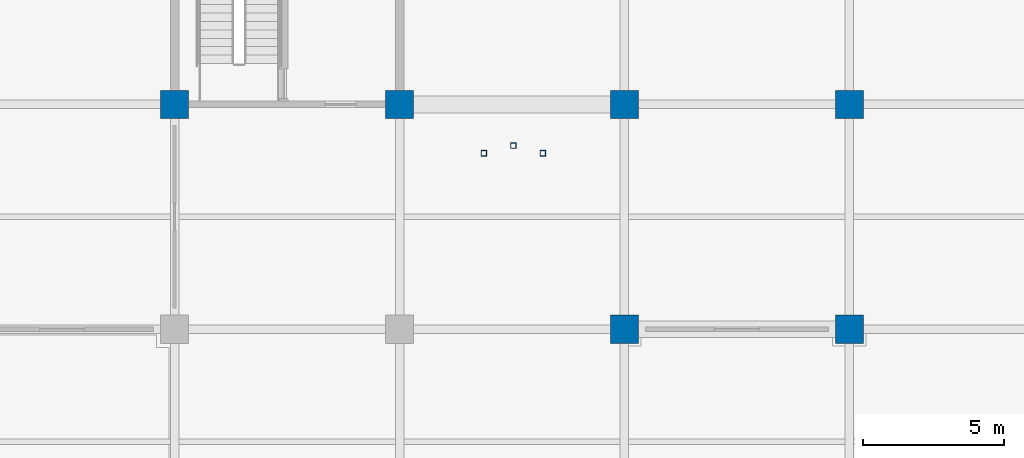
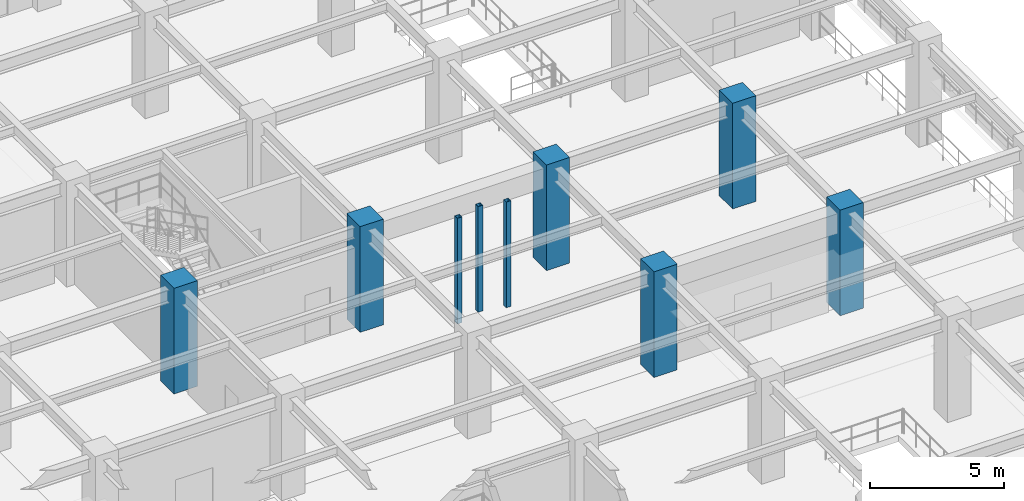
# One storey, part 4 of 117: 9 columns.
"""IFC4 building model written with IfcOpenShell, lengths in metres."""

from ifc_helpers import new_model, si_unit, direction, frame, origin, origin_2d, place, context, subcontext, project, spatial, rectangle, hollow_rectangle, extrude, material, material_profile, profile_set, type_object, element, save


model = new_model("IFC4")

# Units and contexts
model_context = context("Model", 3, precision=1e-05, world=origin(), true_north=direction((0.0, 1.0)))
body_context = subcontext(model_context, "Body", "Model", "MODEL_VIEW")
ifc_project = project(units=[si_unit("LENGTHUNIT", "METRE"), si_unit("AREAUNIT", "SQUARE_METRE"), si_unit("VOLUMEUNIT", "CUBIC_METRE"), si_unit("PLANEANGLEUNIT", "RADIAN"), si_unit("MASSUNIT", "GRAM", prefix="KILO")], contexts=[model_context])

# Site, building, storey
site_placement = place(None, origin())
site = spatial("IfcSite", under=ifc_project, at=site_placement, CompositionType="ELEMENT")
building_placement = place(site_placement, origin())
building = spatial("IfcBuilding", under=site, at=building_placement, Name="Haebicheon Civic Stadium", CompositionType="ELEMENT")
storey_placement = place(building_placement, frame((0.0, 0.0, 4.800048828125)))
storey = spatial("IfcBuildingStorey", under=building, at=storey_placement, Name="L02", CompositionType="ELEMENT", Elevation=4.800048828125)

# Columns
ifc_material_1 = material(Name="Concrete C40/50", Category="concrete")
ifc_material_profile_1 = material_profile(ifc_material_1, rectangle(XDim=1.0, YDim=1.0, at=origin_2d()), Name="RC-COL-1000x1000")
ifc_profile_set_1 = profile_set([ifc_material_profile_1], Name="Concrete C40/50")
column_type_1 = type_object("IfcColumnType", Name="COL-RC-1000", PredefinedType="COLUMN", material=ifc_profile_set_1)
for number, where, z_axis, x_axis, name in (
    (1, (32.0, 104.0, 0.0), (0.0, 0.0, 1.0), (1.0, 0.0, 0.0), "L02 column 5/P"),
    (2, (40.0, 104.0, 0.0), (0.0, 0.0, 1.0), (1.0, 0.0, 0.0), "L02 column 6/P"),
    (3, (48.0, 96.0, 0.0), (0.0, 0.0, 1.0), (1.0, 0.0, 0.0), "L02 column 7/N"),
    (4, (48.0, 104.0, 0.0), (0.0, 0.0, 1.0), (1.0, 0.0, 0.0), "L02 column 7/P"),
    (5, (56.0, 96.0, 0.0), (0.0, 0.0, 1.0), (1.0, 0.0, 0.0), "L02 column 8/N"),
    (6, (56.0, 104.0, 0.0), (0.0, 0.0, 1.0), (1.0, 0.0, 0.0), "L02 column 8/P"),
):
    element("IfcColumn", number, at=place(storey_placement, frame(where, z_axis=z_axis, x_axis=x_axis)), inside=storey, type_object=column_type_1, material=ifc_profile_set_1, Name=name, PredefinedType="COLUMN", context=body_context, shape_type="SweptSolid", body=[
        extrude(rectangle(XDim=1.0, YDim=1.0, at=origin_2d()), origin(), (0.0, 0.0, 1.0), 4.800048828125),
    ])
ifc_material_2 = material(Name="Steel SM355 (S355)", Category="steel")
ifc_material_profile_2 = material_profile(ifc_material_2, hollow_rectangle(XDim=0.199951171875, YDim=0.199951171875, WallThickness=0.009033203125, at=origin_2d()), Name="RHS-200x200x9.0")
ifc_profile_set_2 = profile_set([ifc_material_profile_2], Name="Steel SM355 (S355)")
column_type_2 = type_object("IfcColumnType", Name="COL-ST-RHS200", PredefinedType="COLUMN", material=ifc_profile_set_2)
for number, where, z_axis, x_axis, name in (
    (7, (43.0, 102.260009765625, 0.0), (0.0, 0.0, 1.0), (1.0, 0.0, 0.0), "VM-05 L02 vomitory landing support post A"),
    (8, (45.10009765625, 102.260009765625, 0.0), (0.0, 0.0, 1.0), (1.0, 0.0, 0.0), "VM-05 L02 vomitory landing support post B"),
    (9, (44.050048828125, 102.530029296875, 0.0), (0.0, 0.0, 1.0), (1.0, 0.0, 0.0), "VM-05 L02 vomitory landing support post C"),
):
    element("IfcColumn", number, at=place(storey_placement, frame(where, z_axis=z_axis, x_axis=x_axis)), inside=storey, type_object=column_type_2, material=ifc_profile_set_2, Name=name, PredefinedType="COLUMN", context=body_context, shape_type="SweptSolid", body=[
        extrude(hollow_rectangle(XDim=0.199951171875, YDim=0.199951171875, WallThickness=0.009033203125, at=origin_2d()), origin(), (0.0, 0.0, 1.0), 4.800048828125),
    ])

save(model, "model.ifc")
